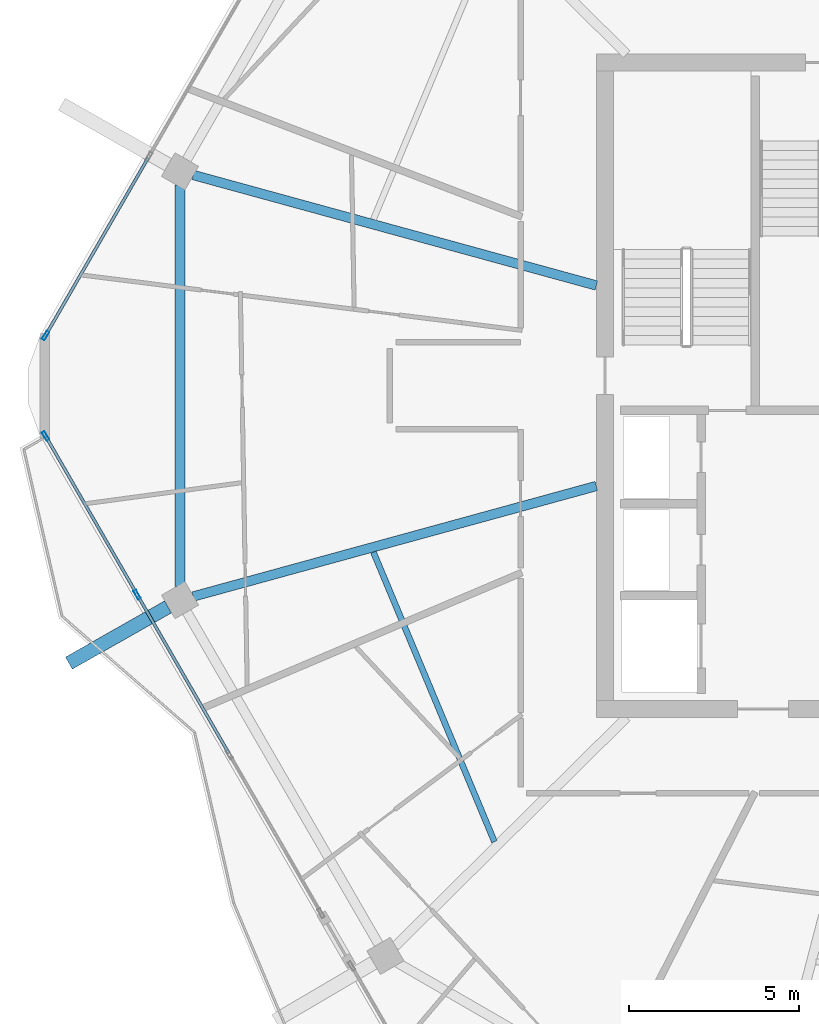
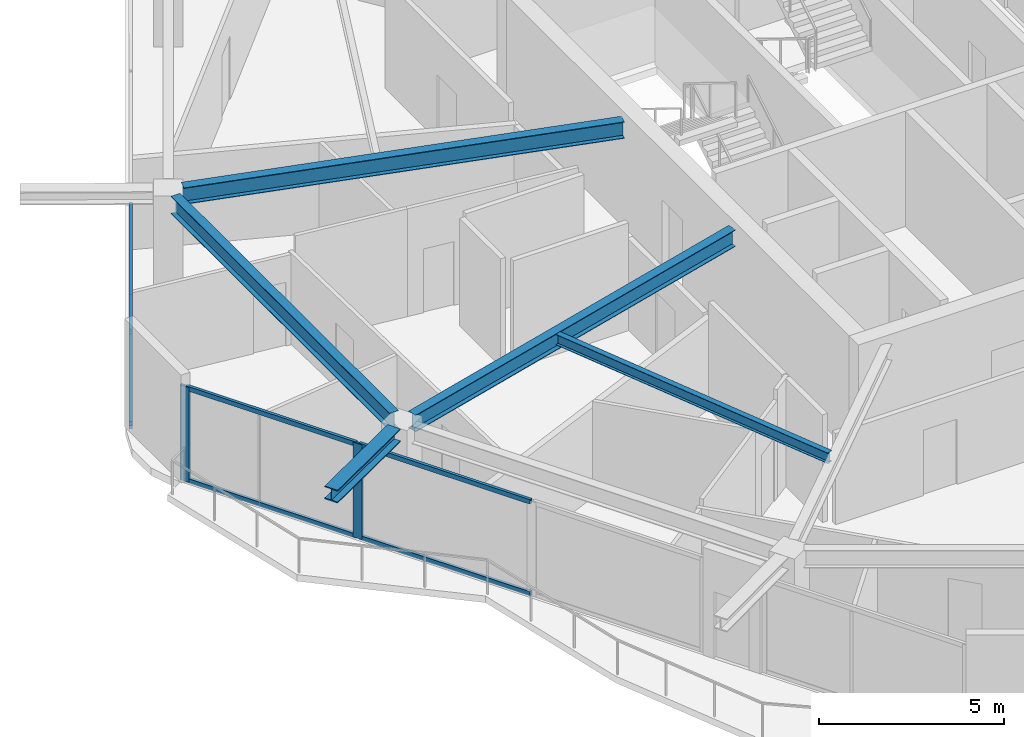
# One storey, part 4 of 21: 9 members, 5 beams, 2 elements without a shape of their own.
"""IFC4 building model written with IfcOpenShell, lengths in metres."""

from ifc_helpers import new_model, si_unit, direction, frame, origin, origin_2d, place, context, subcontext, project, spatial, hollow_rectangle, i_section, extrude, material, material_profile, profile_set, type_object, element, aggregate, save


model = new_model("IFC4")

# Units and contexts
model_context = context("Model", 3, precision=1e-05, world=origin(), true_north=direction((0.0, 1.0)))
body_context = subcontext(model_context, "Body", "Model", "MODEL_VIEW")
ifc_project = project(units=[si_unit("LENGTHUNIT", "METRE"), si_unit("AREAUNIT", "SQUARE_METRE"), si_unit("VOLUMEUNIT", "CUBIC_METRE"), si_unit("PLANEANGLEUNIT", "RADIAN"), si_unit("MASSUNIT", "GRAM", prefix="KILO")], contexts=[model_context])

# Site, building, storey
site_placement = place(None, origin())
site = spatial("IfcSite", under=ifc_project, at=site_placement, CompositionType="ELEMENT")
building_placement = place(site_placement, origin())
building = spatial("IfcBuilding", under=site, at=building_placement, Name="Zuhravey Tower", CompositionType="ELEMENT")
storey_placement = place(building_placement, frame((0.0, 0.0, 319.60009765625)))
storey = spatial("IfcBuildingStorey", under=building, at=storey_placement, Name="L81", CompositionType="ELEMENT", Elevation=319.60009765625)

# Curtain wall, members
ifc_material_1 = material(Name="Thermally broken anodised aluminium", Category="aluminium")
curtain_wall_type = type_object("IfcCurtainWallType", Name="Zone 3-4 High-Rise Curtain Wall CW4", PredefinedType="NOTDEFINED", material=ifc_material_1)
curtain_wall_1_placement = place(storey_placement, origin())
curtain_wall_1 = element("IfcCurtainWall", 1, at=curtain_wall_1_placement, inside=storey, type_object=curtain_wall_type, Name="L81 CW4 CW-L81-F4-2", PredefinedType="NOTDEFINED")
ifc_material_2 = material(Name="Anodised aluminium", Category="aluminium")
ifc_material_profile_1 = material_profile(ifc_material_2, hollow_rectangle(XDim=0.090087890625, YDim=0.284912109375, WallThickness=0.0048828125, at=origin_2d()), Name="ALU-RHS-90x285x5")
ifc_profile_set_1 = profile_set([ifc_material_profile_1], Name="Anodised aluminium")
member_type_1 = type_object("IfcMemberType", Name="Curtain-Wall Mullion 90x180", PredefinedType="MULLION", material=ifc_profile_set_1)
member_1_placement = place(storey_placement, frame((11.7470703125, 25.859130859375, 0.0), z_axis=(0.0, 0.0, 1.0), x_axis=(-0.86602614177, -0.49999872177, 0.0)))
member_1 = element("IfcMember", 2, at=member_1_placement, type_object=member_type_1, Name="CW4 mullion 3", PredefinedType="MULLION", context=body_context, shape_type="SweptSolid", body=[
    extrude(hollow_rectangle(XDim=0.090087890625, YDim=0.284912109375, WallThickness=0.0048828125, at=origin_2d()), origin(), (0.0, 0.0, 1.0), 3.121826171875),
])
member_2_placement = place(storey_placement, frame((9.05419921875, 30.5234375, 0.0), z_axis=(0.0, 0.0, 1.0), x_axis=(-0.86602614177, -0.49999872177, 0.0)))
member_2 = element("IfcMember", 3, at=member_2_placement, type_object=member_type_1, Name="CW4 mullion 4", PredefinedType="MULLION", context=body_context, shape_type="SweptSolid", body=[
    extrude(hollow_rectangle(XDim=0.090087890625, YDim=0.284912109375, WallThickness=0.0048828125, at=origin_2d()), origin(), (0.0, 0.0, 1.0), 3.121826171875),
])

# Curtain wall, member
curtain_wall_2_placement = place(storey_placement, origin())
curtain_wall_2 = element("IfcCurtainWall", 4, at=curtain_wall_2_placement, inside=storey, type_object=curtain_wall_type, Name="L81 CW4 CW-L81-F3-1", PredefinedType="NOTDEFINED")
member_3_placement = place(storey_placement, frame((9.05419921875, 33.4765625, 0.0), z_axis=(0.0, 0.0, 1.0), x_axis=(-0.866025511541, 0.49999981336, 0.0)))
member_3 = element("IfcMember", 5, at=member_3_placement, type_object=member_type_1, Name="CW4 mullion 1", PredefinedType="MULLION", context=body_context, shape_type="SweptSolid", body=[
    extrude(hollow_rectangle(XDim=0.090087890625, YDim=0.284912109375, WallThickness=0.0048828125, at=origin_2d()), origin(), (0.0, 0.0, 1.0), 3.121826171875),
])

# Member
ifc_material_profile_2 = material_profile(ifc_material_2, hollow_rectangle(XDim=0.090087890625, YDim=0.14990234375, WallThickness=0.0048828125, at=origin_2d()), Name="ALU-RHS-90x150x5")
ifc_profile_set_2 = profile_set([ifc_material_profile_2], Name="Anodised aluminium")
member_type_2 = type_object("IfcMemberType", Name="Curtain-Wall Transom 90x150", PredefinedType="USERDEFINED", material=ifc_profile_set_2)
member_4_placement = place(storey_placement, frame((14.440185546875, 21.194580078125, 0.044921875), z_axis=(-0.500017888364, 0.866015075687, 0.0), x_axis=(-0.866015075687, -0.500017888364, 0.0)))
member_4 = element("IfcMember", 6, at=member_4_placement, type_object=member_type_2, Name="CW4 transom 2.1", ObjectType="TRANSOM", PredefinedType="USERDEFINED", context=body_context, shape_type="SweptSolid", body=[
    extrude(hollow_rectangle(XDim=0.090087890625, YDim=0.14990234375, WallThickness=0.0048828125, at=origin_2d()), origin(), (0.0, 0.0, 1.0), 5.341064453125),
])

member_5_placement = place(storey_placement, frame((14.440185546875, 21.194580078125, 3.076904296875), z_axis=(-0.500017888364, 0.866015075687, 0.0), x_axis=(-0.866015075687, -0.500017888364, 0.0)))
member_5 = element("IfcMember", 7, at=member_5_placement, type_object=member_type_2, Name="CW4 transom 2.2", ObjectType="TRANSOM", PredefinedType="USERDEFINED", context=body_context, shape_type="SweptSolid", body=[
    extrude(hollow_rectangle(XDim=0.090087890625, YDim=0.14990234375, WallThickness=0.0048828125, at=origin_2d()), origin(), (0.0, 0.0, 1.0), 5.341064453125),
])

member_6_placement = place(storey_placement, frame((11.724609375, 25.89794921875, 0.044921875), z_axis=(-0.499976506984, 0.866038967058, 0.0), x_axis=(-0.866038967058, -0.499976506984, 0.0)))
member_6 = element("IfcMember", 8, at=member_6_placement, type_object=member_type_2, Name="CW4 transom 3.1", ObjectType="TRANSOM", PredefinedType="USERDEFINED", context=body_context, shape_type="SweptSolid", body=[
    extrude(hollow_rectangle(XDim=0.090087890625, YDim=0.14990234375, WallThickness=0.0048828125, at=origin_2d()), origin(), (0.0, 0.0, 1.0), 5.296142578125),
])

member_7_placement = place(storey_placement, frame((11.724609375, 25.89794921875, 3.076904296875), z_axis=(-0.499976506984, 0.866038967058, 0.0), x_axis=(-0.866038967058, -0.499976506984, 0.0)))
member_7 = element("IfcMember", 9, at=member_7_placement, type_object=member_type_2, Name="CW4 transom 3.2", ObjectType="TRANSOM", PredefinedType="USERDEFINED", context=body_context, shape_type="SweptSolid", body=[
    extrude(hollow_rectangle(XDim=0.090087890625, YDim=0.14990234375, WallThickness=0.0048828125, at=origin_2d()), origin(), (0.0, 0.0, 1.0), 5.296142578125),
])

aggregate(curtain_wall_1, [member_1, member_2, member_4, member_5, member_6, member_7])

member_8_placement = place(storey_placement, frame((9.07666015625, 33.515380859375, 0.044921875), z_axis=(0.499982594807, 0.866035452444, 0.0), x_axis=(-0.866035452444, 0.499982594807, 0.0)))
member_8 = element("IfcMember", 10, at=member_8_placement, type_object=member_type_2, Name="CW4 transom 1.1", ObjectType="TRANSOM", PredefinedType="USERDEFINED", context=body_context, shape_type="SweptSolid", body=[
    extrude(hollow_rectangle(XDim=0.090087890625, YDim=0.14990234375, WallThickness=0.0048828125, at=origin_2d()), origin(), (0.0, 0.0, 1.0), 5.984619140625),
])

member_9_placement = place(storey_placement, frame((9.07666015625, 33.515380859375, 3.076904296875), z_axis=(0.499982594807, 0.866035452444, 0.0), x_axis=(-0.866035452444, 0.499982594807, 0.0)))
member_9 = element("IfcMember", 11, at=member_9_placement, type_object=member_type_2, Name="CW4 transom 1.2", ObjectType="TRANSOM", PredefinedType="USERDEFINED", context=body_context, shape_type="SweptSolid", body=[
    extrude(hollow_rectangle(XDim=0.090087890625, YDim=0.14990234375, WallThickness=0.0048828125, at=origin_2d()), origin(), (0.0, 0.0, 1.0), 5.984619140625),
])

aggregate(curtain_wall_2, [member_3, member_8, member_9])

# Beams
ifc_material_3 = material(Name="Steel SM460", Category="steel")
ifc_material_profile_3 = material_profile(ifc_material_3, i_section(OverallWidth=0.406982421875, OverallDepth=0.427978515625, WebThickness=0.02001953125, FlangeThickness=0.034912109375, at=origin_2d()), Name="H-428x407x20x35")
ifc_profile_set_3 = profile_set([ifc_material_profile_3], Name="Steel SM460")
beam_type_1 = type_object("IfcBeamType", Name="Exoskeleton Node Tie Beam H428x407", PredefinedType="BEAM", material=ifc_profile_set_3)
beam_1_placement = place(storey_placement, frame((12.6552734375, 25.498291015625, 3.3359375), z_axis=(-0.869816903005, -0.493374660118, 0.0), x_axis=(0.493374660118, -0.869816903005, 0.0)))
element("IfcBeam", 12, at=beam_1_placement, inside=storey, type_object=beam_type_1, Name="L81 Exoskeleton Node Tie NT1-07", PredefinedType="BEAM", context=body_context, shape_type="SweptSolid", body=[
    extrude(i_section(OverallWidth=0.406982421875, OverallDepth=0.427978515625, WebThickness=0.02001953125, FlangeThickness=0.034912109375, at=origin_2d()), origin(), (0.0, 0.0, 1.0), 3.35107421875),
])
ifc_material_4 = material(Name="Steel SM355", Category="steel")
ifc_material_profile_4 = material_profile(ifc_material_4, i_section(OverallWidth=0.280029296875, OverallDepth=0.580078125, WebThickness=0.011962890625, FlangeThickness=0.01904296875, at=origin_2d()), Name="H-580x280x12x19")
ifc_profile_set_4 = profile_set([ifc_material_profile_4], Name="Steel SM355")
beam_type_2 = type_object("IfcBeamType", Name="Perimeter Ring Beam H580x280", PredefinedType="BEAM", material=ifc_profile_set_4)
beam_2_placement = place(storey_placement, frame((13.006591796875, 37.8994140625, 3.260009765625), z_axis=(0.0, -1.0, 0.0), x_axis=(1.0, 0.0, 0.0)))
element("IfcBeam", 13, at=beam_2_placement, inside=storey, type_object=beam_type_2, Name="L81 PB4 BM-L81-PB-06", PredefinedType="BEAM", context=body_context, shape_type="SweptSolid", body=[
    extrude(i_section(OverallWidth=0.280029296875, OverallDepth=0.580078125, WebThickness=0.011962890625, FlangeThickness=0.01904296875, at=origin_2d()), origin(), (0.0, 0.0, 1.0), 11.798828125),
])
ifc_material_profile_5 = material_profile(ifc_material_4, i_section(OverallWidth=0.280029296875, OverallDepth=0.550048828125, WebThickness=0.010986328125, FlangeThickness=0.01806640625, at=origin_2d()), Name="H-550x280x11x18")
ifc_profile_set_5 = profile_set([ifc_material_profile_5], Name="Steel SM355")
beam_type_3 = type_object("IfcBeamType", Name="Radial Primary Girder H550x280", PredefinedType="BEAM", material=ifc_profile_set_5)
for number, where, z_axis, x_axis, name in (
    (14, (25.2470703125, 34.947265625, 3.27490234375), (-0.964427903067, 0.264346022829, 0.0), (-0.264346022829, -0.964427903067, 0.0), "L81 RG4 BM-L81-RAD-06"),
    (15, (25.2470703125, 29.052734375, 3.27490234375), (-0.964427903067, -0.264346022829, 0.0), (0.264346022829, -0.964427903067, 0.0), "L81 RG4 BM-L81-RAD-07"),
):
    element("IfcBeam", number, at=place(storey_placement, frame(where, z_axis=z_axis, x_axis=x_axis)), inside=storey, type_object=beam_type_3, Name=name, PredefinedType="BEAM", context=body_context, shape_type="SweptSolid", body=[
        extrude(i_section(OverallWidth=0.280029296875, OverallDepth=0.550048828125, WebThickness=0.010986328125, FlangeThickness=0.01806640625, at=origin_2d()), origin(), (0.0, 0.0, 1.0), 12.2890625),
    ])
ifc_material_profile_6 = material_profile(ifc_material_4, i_section(OverallWidth=0.175048828125, OverallDepth=0.35009765625, WebThickness=0.007080078125, FlangeThickness=0.010986328125, at=origin_2d()), Name="H-350x175x7x11")
ifc_profile_set_6 = profile_set([ifc_material_profile_6], Name="Steel SM355")
beam_type_4 = type_object("IfcBeamType", Name="Secondary Floor Joist H350x175", PredefinedType="JOIST", material=ifc_profile_set_6)
beam_3_placement = place(storey_placement, frame((18.692626953125, 27.108154296875, 3.375), z_axis=(0.385657891576, -0.922641853953, 0.0), x_axis=(0.922641853953, 0.385657891576, 0.0)))
element("IfcBeam", 16, at=beam_3_placement, inside=storey, type_object=beam_type_4, Name="L81 SJ3 BM-L81-SJ-07-1", PredefinedType="JOIST", context=body_context, shape_type="SweptSolid", body=[
    extrude(i_section(OverallWidth=0.175048828125, OverallDepth=0.35009765625, WebThickness=0.007080078125, FlangeThickness=0.010986328125, at=origin_2d()), origin(), (0.0, 0.0, 1.0), 9.226806640625),
])

save(model, "model.ifc")
